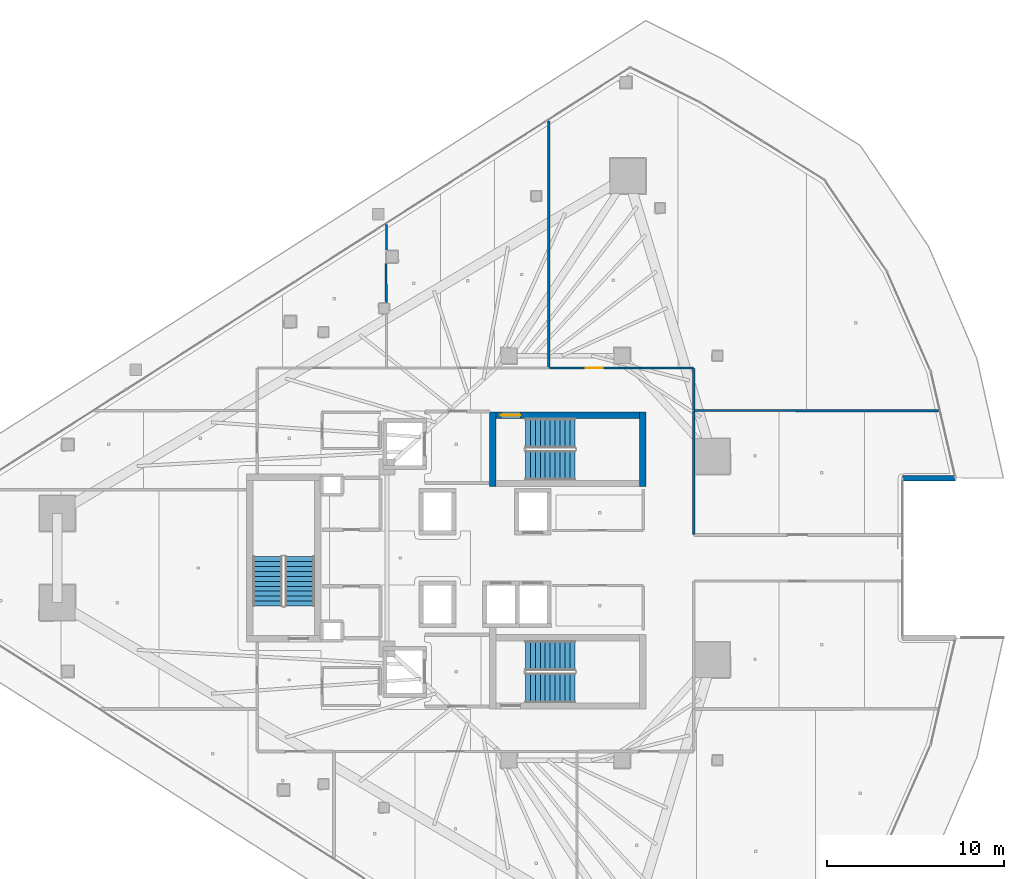
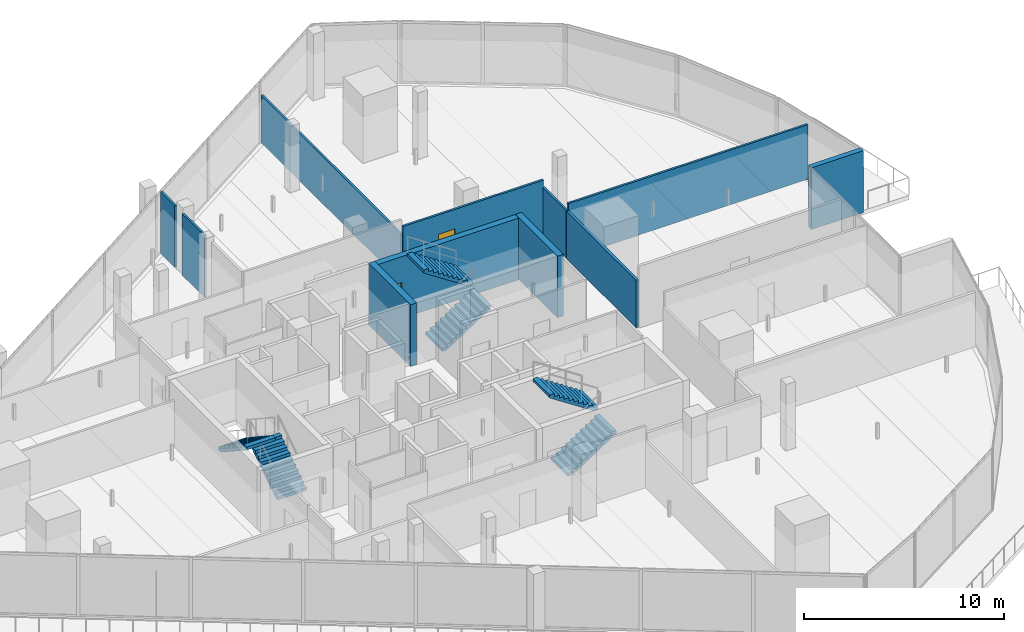
# One storey, part 27 of 37: 11 walls, 6 stair flights, 2 doors, 2 openings, 3 elements without a shape of their own.
"""IFC4 building model written with IfcOpenShell, lengths in metres."""

from ifc_helpers import new_model, si_unit, direction, frame, frame_2d, origin, place, context, subcontext, project, spatial, polyline, rectangle, outline, extrude, material, layer, layer_set, type_object, element, fill, aggregate, save


model = new_model("IFC4")

# Units and contexts
model_context = context("Model", 3, precision=1e-05, world=origin(), true_north=direction((0.0, 1.0)))
body_context = subcontext(model_context, "Body", "Model", "MODEL_VIEW")
ifc_project = project(units=[si_unit("LENGTHUNIT", "METRE"), si_unit("AREAUNIT", "SQUARE_METRE"), si_unit("VOLUMEUNIT", "CUBIC_METRE"), si_unit("PLANEANGLEUNIT", "RADIAN"), si_unit("MASSUNIT", "GRAM", prefix="KILO")], contexts=[model_context])

# Site, building, storey
site_placement = place(None, origin())
site = spatial("IfcSite", under=ifc_project, at=site_placement, CompositionType="ELEMENT")
building_placement = place(site_placement, origin())
building = spatial("IfcBuilding", under=site, at=building_placement, Name="Qorvath Tower", CompositionType="ELEMENT")
storey_placement = place(building_placement, frame((0.0, 0.0, 196.949951171875)))
storey = spatial("IfcBuildingStorey", under=building, at=storey_placement, Name="L45", CompositionType="ELEMENT", Elevation=196.949951171875)

# Walls
ifc_material_1 = material(Name="Double acoustic gypsum board on steel studs", Category="steel")
ifc_layer_1 = layer(ifc_material_1, 0.159912109375)
ifc_layer_set_1 = layer_set([ifc_layer_1], Name="IW-ACOUSTIC-160")
wall_type_1 = type_object("IfcWallType", Name="IW-ACOUSTIC-160", PredefinedType="PARTITIONING", material=ifc_layer_set_1)
wall_1_placement = place(storey_placement, frame((-13.14208984375, 8.31689453125, 0.0), z_axis=(0.0, 0.0, 1.0), x_axis=(0.0, -1.0, 0.0)))
element("IfcWall", 1, at=wall_1_placement, inside=storey, type_object=wall_type_1, Name="Interior Partition IW-T1-L45-045", PredefinedType="PARTITIONING", context=body_context, shape_type="SweptSolid", body=[
    extrude(rectangle(XDim=6.98388671875, YDim=0.159912109375, at=frame_2d((3.491943359375, 0.0))), origin(), (0.0, 0.0, 1.0), 2.89990234375),
])
ifc_material_2 = material(Name="Gypsum board on metal studs with mineral wool", Category="gypsum")
ifc_layer_2 = layer(ifc_material_2, 0.125)
ifc_layer_set_2 = layer_set([ifc_layer_2], Name="IW-PART-125")
wall_type_2 = type_object("IfcWallType", Name="IW-PART-125", PredefinedType="PARTITIONING", material=ifc_layer_set_2)
wall_2_placement = place(storey_placement, frame((-30.54541015625, 14.46435546875, 0.0), z_axis=(0.0, 0.0, 1.0), x_axis=(-0.01173394248, 0.999931154927, 0.0)))
element("IfcWall", 2, at=wall_2_placement, inside=storey, type_object=wall_type_2, Name="Interior Partition IW-T1-L45-026", PredefinedType="PARTITIONING", context=body_context, shape_type="SweptSolid", body=[
    extrude(rectangle(XDim=2.20556640625, YDim=0.125, at=frame_2d((1.102783203125, 0.0))), origin(), (0.0, 0.0, 1.0), 3.780029296875),
])
wall_3_placement = place(storey_placement, frame((-30.544921875, 17.44970703125, 0.0), z_axis=(0.0, 0.0, 1.0), x_axis=(0.0, 1.0, 0.0)))
element("IfcWall", 3, at=wall_3_placement, inside=storey, type_object=wall_type_2, Name="Interior Partition IW-T1-L45-027", PredefinedType="PARTITIONING", context=body_context, shape_type="SweptSolid", body=[
    extrude(rectangle(XDim=1.420166015625, YDim=0.125, at=frame_2d((0.7099609375, 0.0))), origin(), (0.0, 0.0, 1.0), 3.780029296875),
])
wall_4_placement = place(storey_placement, frame((-21.345947265625, 10.783203125, 0.0), z_axis=(0.0, 0.0, 1.0), x_axis=(0.0, 1.0, 0.0)))
element("IfcWall", 4, at=wall_4_placement, inside=storey, type_object=wall_type_2, Name="Interior Partition IW-T1-L45-030", PredefinedType="PARTITIONING", context=body_context, shape_type="SweptSolid", body=[
    extrude(rectangle(XDim=13.966064453125, YDim=0.125, at=frame_2d((6.98291015625, 0.0))), origin(), (0.0, 0.0, 1.0), 2.89501953125),
])

# Wall, opening, door
wall_5_placement = place(storey_placement, frame((-21.31298828125, 10.758056640625, 0.0), z_axis=(0.0, 0.0, 1.0), x_axis=(1.0, 0.0, 0.0)))
wall_5 = element("IfcWall", 5, at=wall_5_placement, inside=storey, type_object=wall_type_2, Name="Interior Partition IW-T1-L45-031", PredefinedType="PARTITIONING", context=body_context, shape_type="SweptSolid", body=[
    extrude(rectangle(XDim=8.14599609375, YDim=0.125, at=frame_2d((4.072998046875, 0.0))), origin(), (0.0, 0.0, 1.0), 3.34423828125),
])
opening_1_placement = place(wall_5_placement, frame((2.055908203125, 0.0, 0.0)))
opening_1 = element("IfcOpeningElement", 6, at=opening_1_placement, cuts=wall_5, Name="Opening D-T1-L45-09", PredefinedType="OPENING", context=body_context, shape_type="SweptSolid", body=[
    extrude(rectangle(XDim=0.949951171875, YDim=2.14990234375, at=frame_2d((0.47509765625, 1.074951171875))), frame((0.0, 0.072509765625, 0.0), z_axis=(0.0, -1.0, 0.0), x_axis=(1.0, 0.0, 0.0)), (0.0, 0.0, 1.0), 0.14501953125),
])
ifc_material_3 = material(Name="Solid-core American white oak veneer", Category="wood")
door_type_1 = type_object("IfcDoorType", Name="D-01", OperationType="NOTDEFINED", PredefinedType="DOOR", material=ifc_material_3)
door_1_placement = place(opening_1_placement, origin())
door_1 = element("IfcDoor", 7, at=door_1_placement, inside=storey, type_object=door_type_1, Name="L45-03 Executive Partner Office Door D-T1-L45-09", OperationType="SINGLE_SWING_RIGHT", OverallHeight=2.14990234375, OverallWidth=0.949951171875, PredefinedType="DOOR", context=body_context, shape_type="SweptSolid", body=[
    extrude(rectangle(XDim=0.949951171875, YDim=2.14990234375, at=frame_2d((0.47509765625, 1.074951171875))), frame((0.0, 0.02490234375, 0.0), z_axis=(0.0, -1.0, 0.0), x_axis=(1.0, 0.0, 0.0)), (0.0, 0.0, 1.0), 0.050048828125),
])
fill(opening_1, door_1)

# Walls
wall_6_placement = place(storey_placement, frame((-13.14208984375, 10.733154296875, 0.0), z_axis=(0.0, 0.0, 1.0), x_axis=(0.0, -1.0, 0.0)))
element("IfcWall", 8, at=wall_6_placement, inside=storey, type_object=wall_type_2, Name="Interior Partition IW-T1-L45-032", PredefinedType="PARTITIONING", context=body_context, shape_type="SweptSolid", body=[
    extrude(rectangle(XDim=2.358154296875, YDim=0.125, at=frame_2d((1.17919921875, 0.0))), origin(), (0.0, 0.0, 1.0), 2.89990234375),
])
wall_7_placement = place(storey_placement, frame((-13.1171875, 8.35009765625, 0.0), z_axis=(0.0, 0.0, 1.0), x_axis=(0.999999258756, -0.001217574534, 0.0)))
element("IfcWall", 9, at=wall_7_placement, inside=storey, type_object=wall_type_2, Name="Interior Partition IW-T1-L45-033", PredefinedType="PARTITIONING", context=body_context, shape_type="SweptSolid", body=[
    extrude(rectangle(XDim=13.83544921875, YDim=0.125, at=frame_2d((6.917724609375, 0.0))), origin(), (0.0, 0.0, 1.0), 3.34423828125),
])
ifc_material_4 = material(Name="Concrete C60/75", Category="concrete")
ifc_layer_3 = layer(ifc_material_4, 0.35009765625)
ifc_layer_set_3 = layer_set([ifc_layer_3], Name="SW-STAIR")
wall_type_3 = type_object("IfcWallType", Name="SW-STAIR", PredefinedType="SHEAR", material=ifc_layer_set_3)
for number, where, z_axis, x_axis, name in (
    (10, (-24.52490234375, 8.260009765625, 0.0), (0.0, 0.0, 1.0), (0.0, -1.0, 0.0), "Stair TS1 Shear Wall L45 NEAR"),
    (11, (-16.02490234375, 4.050048828125, 0.0), (0.0, 0.0, 1.0), (0.0, 1.0, 0.0), "Stair TS1 Shear Wall L45 FAR"),
):
    element("IfcWall", number, at=place(storey_placement, frame(where, z_axis=z_axis, x_axis=x_axis)), inside=storey, type_object=wall_type_3, Name=name, PredefinedType="SHEAR", context=body_context, shape_type="SweptSolid", body=[
        extrude(rectangle(XDim=4.2099609375, YDim=0.35009765625, at=frame_2d((2.10498046875, 0.0))), origin(), (0.0, 0.0, 1.0), 3.780029296875),
    ])

# Wall, opening, door
wall_8_placement = place(storey_placement, frame((-16.215087890625, 8.0849609375, 0.0), z_axis=(0.0, 0.0, 1.0), x_axis=(-1.0, 0.0, 0.0)))
wall_8 = element("IfcWall", 12, at=wall_8_placement, inside=storey, type_object=wall_type_3, Name="Stair TS1 Shear Wall L45 RIGHT", PredefinedType="SHEAR", context=body_context, shape_type="SweptSolid", body=[
    extrude(rectangle(XDim=8.119873046875, YDim=0.35009765625, at=frame_2d((4.06005859375, 0.0))), origin(), (0.0, 0.0, 1.0), 3.780029296875),
])
opening_2_placement = place(wall_8_placement, frame((6.739990234375, 0.0, 0.0)))
opening_2 = element("IfcOpeningElement", 13, at=opening_2_placement, cuts=wall_8, Name="Opening D-TS1-L45", PredefinedType="OPENING", context=body_context, shape_type="SweptSolid", body=[
    extrude(rectangle(XDim=1.10009765625, YDim=2.199951171875, at=frame_2d((0.550048828125, 1.10009765625))), frame((0.0, 0.18505859375, 0.0), z_axis=(0.0, -1.0, 0.0), x_axis=(1.0, 0.0, 0.0)), (0.0, 0.0, 1.0), 0.3701171875),
])
ifc_material_5 = material(Name="Painted galvanised hollow metal", Category="steel")
door_type_2 = type_object("IfcDoorType", Name="FD-90", OperationType="NOTDEFINED", PredefinedType="DOOR", material=ifc_material_5)
door_2_placement = place(opening_2_placement, origin())
door_2 = element("IfcDoor", 14, at=door_2_placement, inside=storey, type_object=door_type_2, Name="Stair TS1 Fire Door L45", OperationType="SINGLE_SWING_RIGHT", OverallHeight=2.199951171875, OverallWidth=1.10009765625, PredefinedType="DOOR", context=body_context, shape_type="SweptSolid", body=[
    extrude(rectangle(XDim=1.10009765625, YDim=2.199951171875, at=frame_2d((0.550048828125, 1.10009765625))), frame((0.0, 0.02490234375, 0.0), z_axis=(0.0, -1.0, 0.0), x_axis=(1.0, 0.0, 0.0)), (0.0, 0.0, 1.0), 0.050048828125),
])
fill(opening_2, door_2)

# Wall
ifc_material_6 = material(Name="Precast concrete C45/55", Category="concrete")
ifc_layer_4 = layer(ifc_material_6, 0.300048828125)
ifc_layer_set_4 = layer_set([ifc_layer_4], Name="WL-EW-LOG-300")
wall_type_4 = type_object("IfcWallType", Name="WL-EW-LOG-300", PredefinedType="SOLIDWALL", material=ifc_layer_set_4)
wall_9_placement = place(storey_placement, frame((-1.3291015625, 4.519775390625, 0.0), z_axis=(0.0, 0.0, 1.0), x_axis=(1.0, 0.0, 0.0)))
element("IfcWall", 15, at=wall_9_placement, inside=storey, type_object=wall_type_4, Name="Tower Precast Loggia Wall L45-10.1", PredefinedType="SOLIDWALL", context=body_context, shape_type="SweptSolid", body=[
    extrude(rectangle(XDim=3.01318359375, YDim=0.300048828125, at=frame_2d((1.506591796875, 0.0))), origin(), (0.0, 0.0, 1.0), 3.780029296875),
])

# Stair, stair flights
ifc_material_7 = material(Name="Concrete C50/60", Category="concrete")
stair_type = type_object("IfcStairType", Name="ST-H405", PredefinedType="HALF_TURN_STAIR", material=ifc_material_7)
stair_1_placement = place(storey_placement, origin())
stair_1 = element("IfcStair", 16, at=stair_1_placement, inside=storey, type_object=stair_type, Name="L45 Tower Exit Stair 1", PredefinedType="HALF_TURN_STAIR")
ifc_material_8 = material(Name="Concrete C50/60", Category="concrete")
ifc_layer_5 = layer(ifc_material_8, 0.14990234375)
ifc_layer_set_5 = layer_set([ifc_layer_5], Name="SF-H405")
stair_flight_type = type_object("IfcStairFlightType", Name="SF-H405", PredefinedType="STRAIGHT", material=ifc_layer_set_5)
stair_flight_1_placement = place(storey_placement, frame((-22.669921875, 5.239990234375, 0.0), z_axis=(0.0, 0.0, 1.0), x_axis=(1.0, 0.0, 0.0)))
stair_flight_1 = element("IfcStairFlight", 17, at=stair_flight_1_placement, type_object=stair_flight_type, Name="TS1 flight 1", NumberOfRisers=11, NumberOfTreads=10, PredefinedType="STRAIGHT", RiserHeight=0.184090909, TreadLength=0.28, context=body_context, shape_type="SweptSolid", body=[
    extrude(outline(polyline([(0.0, 0.0), (0.0, 0.18408203125), (0.280029296875, 0.18408203125), (0.280029296875, 0.3681640625), (0.56005859375, 0.3681640625), (0.56005859375, 0.55224609375), (0.840087890625, 0.55224609375), (0.840087890625, 0.736328125), (1.1201171875, 0.736328125), (1.1201171875, 0.92041015625), (1.39990234375, 0.92041015625), (1.39990234375, 1.1044921875), (1.679931640625, 1.1044921875), (1.679931640625, 1.28857421875), (1.9599609375, 1.28857421875), (1.9599609375, 1.47265625), (2.239990234375, 1.47265625), (2.239990234375, 1.65673828125), (2.52001953125, 1.65673828125), (2.52001953125, 1.8408203125), (2.800048828125, 1.8408203125), (2.800048828125, 2.02490234375), (2.800048828125, 1.66162109375), (0.27294921875, 0.0), (0.0, 0.0)])), frame((0.0, 0.83984375, 0.0), z_axis=(0.0, -1.0, 0.0), x_axis=(1.0, 0.0, 0.0)), (0.0, 0.0, 1.0), 1.679931640625),
])
stair_flight_2_placement = place(storey_placement, frame((-19.8701171875, 7.070068359375, 2.025146484375), z_axis=(0.0, 0.0, 1.0), x_axis=(-1.0, 0.0, 0.0)))
stair_flight_2 = element("IfcStairFlight", 18, at=stair_flight_2_placement, type_object=stair_flight_type, Name="TS1 flight 2", NumberOfRisers=11, NumberOfTreads=10, PredefinedType="STRAIGHT", RiserHeight=0.184090909, TreadLength=0.28, context=body_context, shape_type="SweptSolid", body=[
    extrude(outline(polyline([(0.0, 0.0), (0.0, 0.18408203125), (0.280029296875, 0.18408203125), (0.280029296875, 0.3681640625), (0.56005859375, 0.3681640625), (0.56005859375, 0.55224609375), (0.840087890625, 0.55224609375), (0.840087890625, 0.736328125), (1.1201171875, 0.736328125), (1.1201171875, 0.92041015625), (1.39990234375, 0.92041015625), (1.39990234375, 1.1044921875), (1.679931640625, 1.1044921875), (1.679931640625, 1.28857421875), (1.9599609375, 1.28857421875), (1.9599609375, 1.47265625), (2.239990234375, 1.47265625), (2.239990234375, 1.65673828125), (2.52001953125, 1.65673828125), (2.52001953125, 1.8408203125), (2.800048828125, 1.8408203125), (2.800048828125, 2.02490234375), (2.800048828125, 1.66162109375), (0.27294921875, 0.0), (0.0, 0.0)])), frame((0.0, 0.83984375, 0.0), z_axis=(0.0, -1.0, 0.0), x_axis=(1.0, 0.0, 0.0)), (0.0, 0.0, 1.0), 1.679931640625),
])
aggregate(stair_1, [stair_flight_1, stair_flight_2])

stair_2_placement = place(storey_placement, origin())
stair_2 = element("IfcStair", 19, at=stair_2_placement, inside=storey, type_object=stair_type, Name="L45 Tower Exit Stair 2", PredefinedType="HALF_TURN_STAIR")
stair_flight_3_placement = place(storey_placement, frame((-22.669921875, -7.360107421875, 0.0), z_axis=(0.0, 0.0, 1.0), x_axis=(1.0, 0.0, 0.0)))
stair_flight_3 = element("IfcStairFlight", 20, at=stair_flight_3_placement, type_object=stair_flight_type, Name="TS2 flight 1", NumberOfRisers=11, NumberOfTreads=10, PredefinedType="STRAIGHT", RiserHeight=0.184090909, TreadLength=0.28, context=body_context, shape_type="SweptSolid", body=[
    extrude(outline(polyline([(0.0, 0.0), (0.0, 0.18408203125), (0.280029296875, 0.18408203125), (0.280029296875, 0.3681640625), (0.56005859375, 0.3681640625), (0.56005859375, 0.55224609375), (0.840087890625, 0.55224609375), (0.840087890625, 0.736328125), (1.1201171875, 0.736328125), (1.1201171875, 0.92041015625), (1.39990234375, 0.92041015625), (1.39990234375, 1.1044921875), (1.679931640625, 1.1044921875), (1.679931640625, 1.28857421875), (1.9599609375, 1.28857421875), (1.9599609375, 1.47265625), (2.239990234375, 1.47265625), (2.239990234375, 1.65673828125), (2.52001953125, 1.65673828125), (2.52001953125, 1.8408203125), (2.800048828125, 1.8408203125), (2.800048828125, 2.02490234375), (2.800048828125, 1.66162109375), (0.27294921875, 0.0), (0.0, 0.0)])), frame((0.0, 0.83984375, 0.0), z_axis=(0.0, -1.0, 0.0), x_axis=(1.0, 0.0, 0.0)), (0.0, 0.0, 1.0), 1.679931640625),
])
stair_flight_4_placement = place(storey_placement, frame((-19.8701171875, -5.530029296875, 2.025146484375), z_axis=(0.0, 0.0, 1.0), x_axis=(-1.0, 0.0, 0.0)))
stair_flight_4 = element("IfcStairFlight", 21, at=stair_flight_4_placement, type_object=stair_flight_type, Name="TS2 flight 2", NumberOfRisers=11, NumberOfTreads=10, PredefinedType="STRAIGHT", RiserHeight=0.184090909, TreadLength=0.28, context=body_context, shape_type="SweptSolid", body=[
    extrude(outline(polyline([(0.0, 0.0), (0.0, 0.18408203125), (0.280029296875, 0.18408203125), (0.280029296875, 0.3681640625), (0.56005859375, 0.3681640625), (0.56005859375, 0.55224609375), (0.840087890625, 0.55224609375), (0.840087890625, 0.736328125), (1.1201171875, 0.736328125), (1.1201171875, 0.92041015625), (1.39990234375, 0.92041015625), (1.39990234375, 1.1044921875), (1.679931640625, 1.1044921875), (1.679931640625, 1.28857421875), (1.9599609375, 1.28857421875), (1.9599609375, 1.47265625), (2.239990234375, 1.47265625), (2.239990234375, 1.65673828125), (2.52001953125, 1.65673828125), (2.52001953125, 1.8408203125), (2.800048828125, 1.8408203125), (2.800048828125, 2.02490234375), (2.800048828125, 1.66162109375), (0.27294921875, 0.0), (0.0, 0.0)])), frame((0.0, 0.83984375, 0.0), z_axis=(0.0, -1.0, 0.0), x_axis=(1.0, 0.0, 0.0)), (0.0, 0.0, 1.0), 1.679931640625),
])
aggregate(stair_2, [stair_flight_3, stair_flight_4])

stair_3_placement = place(storey_placement, origin())
stair_3 = element("IfcStair", 22, at=stair_3_placement, inside=storey, type_object=stair_type, Name="L45 Tower Exit Stair 3", PredefinedType="HALF_TURN_STAIR")
stair_flight_5_placement = place(storey_placement, frame((-35.43994140625, -2.719970703125, 0.0), z_axis=(0.0, 0.0, 1.0), x_axis=(0.0, 1.0, 0.0)))
stair_flight_5 = element("IfcStairFlight", 23, at=stair_flight_5_placement, type_object=stair_flight_type, Name="TS3 flight 1", NumberOfRisers=11, NumberOfTreads=10, PredefinedType="STRAIGHT", RiserHeight=0.184090909, TreadLength=0.28, context=body_context, shape_type="SweptSolid", body=[
    extrude(outline(polyline([(0.0, 0.0), (0.0, 0.18408203125), (0.280029296875, 0.18408203125), (0.280029296875, 0.3681640625), (0.56005859375, 0.3681640625), (0.56005859375, 0.55224609375), (0.840087890625, 0.55224609375), (0.840087890625, 0.736328125), (1.1201171875, 0.736328125), (1.1201171875, 0.92041015625), (1.39990234375, 0.92041015625), (1.39990234375, 1.1044921875), (1.679931640625, 1.1044921875), (1.679931640625, 1.28857421875), (1.9599609375, 1.28857421875), (1.9599609375, 1.47265625), (2.239990234375, 1.47265625), (2.239990234375, 1.65673828125), (2.52001953125, 1.65673828125), (2.52001953125, 1.8408203125), (2.800048828125, 1.8408203125), (2.800048828125, 2.02490234375), (2.800048828125, 1.66162109375), (0.27294921875, 0.0), (0.0, 0.0)])), frame((0.0, 0.83984375, 0.0), z_axis=(0.0, -1.0, 0.0), x_axis=(1.0, 0.0, 0.0)), (0.0, 0.0, 1.0), 1.679931640625),
])
stair_flight_6_placement = place(storey_placement, frame((-37.27001953125, 0.080078125, 2.025146484375), z_axis=(0.0, 0.0, 1.0), x_axis=(0.0, -1.0, 0.0)))
stair_flight_6 = element("IfcStairFlight", 24, at=stair_flight_6_placement, type_object=stair_flight_type, Name="TS3 flight 2", NumberOfRisers=11, NumberOfTreads=10, PredefinedType="STRAIGHT", RiserHeight=0.184090909, TreadLength=0.28, context=body_context, shape_type="SweptSolid", body=[
    extrude(outline(polyline([(0.0, 0.0), (0.0, 0.18408203125), (0.280029296875, 0.18408203125), (0.280029296875, 0.3681640625), (0.56005859375, 0.3681640625), (0.56005859375, 0.55224609375), (0.840087890625, 0.55224609375), (0.840087890625, 0.736328125), (1.1201171875, 0.736328125), (1.1201171875, 0.92041015625), (1.39990234375, 0.92041015625), (1.39990234375, 1.1044921875), (1.679931640625, 1.1044921875), (1.679931640625, 1.28857421875), (1.9599609375, 1.28857421875), (1.9599609375, 1.47265625), (2.239990234375, 1.47265625), (2.239990234375, 1.65673828125), (2.52001953125, 1.65673828125), (2.52001953125, 1.8408203125), (2.800048828125, 1.8408203125), (2.800048828125, 2.02490234375), (2.800048828125, 1.66162109375), (0.27294921875, 0.0), (0.0, 0.0)])), frame((0.0, 0.83984375, 0.0), z_axis=(0.0, -1.0, 0.0), x_axis=(1.0, 0.0, 0.0)), (0.0, 0.0, 1.0), 1.679931640625),
])
aggregate(stair_3, [stair_flight_5, stair_flight_6])

save(model, "model.ifc")
